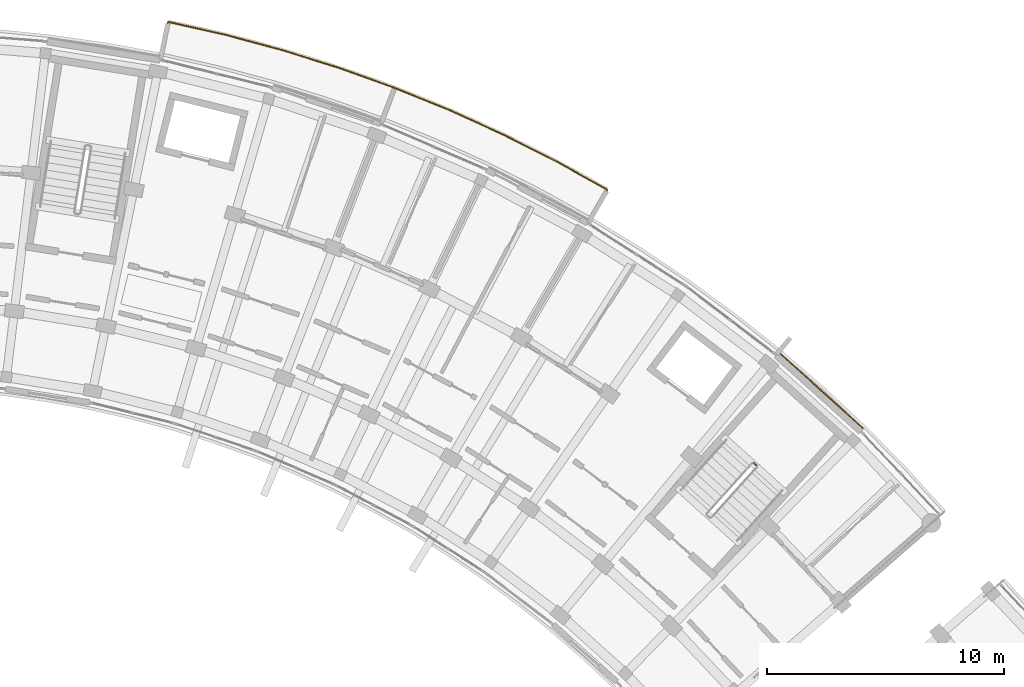
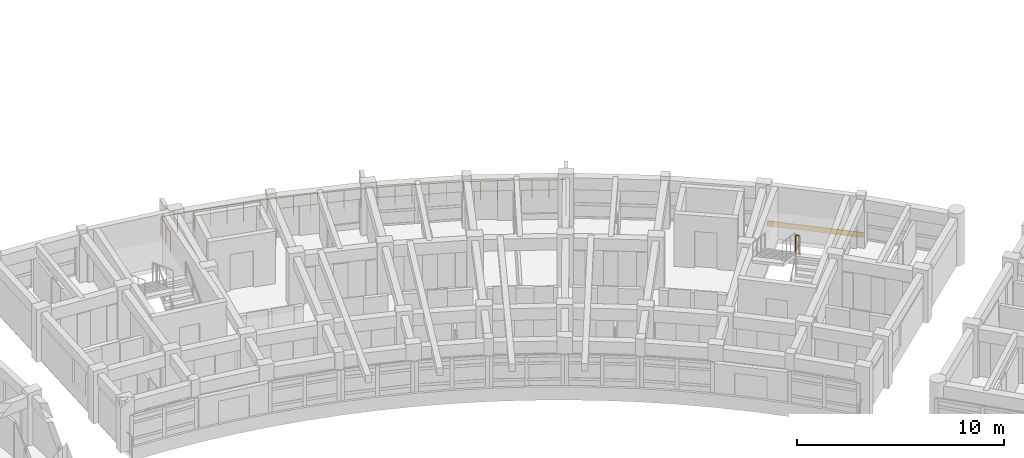
# One storey, part 52 of 55: 2 railings, 1 covering.
"""IFC4 building model written with IfcOpenShell, lengths in metres."""

from ifc_helpers import new_model, si_unit, direction, frame, origin, origin_2d, place, context, subcontext, project, spatial, rectangle, circle, extrude, material, layer, layer_set, type_object, element, save


model = new_model("IFC4")

# Units and contexts
model_context = context("Model", 3, precision=1e-05, world=origin(), true_north=direction((0.0, 1.0)))
body_context = subcontext(model_context, "Body", "Model", "MODEL_VIEW")
ifc_project = project(units=[si_unit("LENGTHUNIT", "METRE"), si_unit("AREAUNIT", "SQUARE_METRE"), si_unit("VOLUMEUNIT", "CUBIC_METRE"), si_unit("PLANEANGLEUNIT", "RADIAN"), si_unit("MASSUNIT", "GRAM", prefix="KILO")], contexts=[model_context])

# Site, building, storey
site_placement = place(None, origin())
site = spatial("IfcSite", under=ifc_project, at=site_placement, CompositionType="ELEMENT")
building_placement = place(site_placement, origin())
building = spatial("IfcBuilding", under=site, at=building_placement, Name="Zimvara Arc Housing Community", CompositionType="ELEMENT")
storey_placement = place(building_placement, frame((0.0, 0.0, 14.300048828125)))
storey = spatial("IfcBuildingStorey", under=building, at=storey_placement, Name="L04", CompositionType="ELEMENT", Elevation=14.300048828125)

# Covering
ifc_material_1 = material(Name="Pale-Gold Anodised Aluminium Cladding", Category="aluminium")
ifc_layer = layer(ifc_material_1, 0.0400390625)
ifc_layer_set = layer_set([ifc_layer], Name="Pale-Gold Anodised Aluminium Cladding")
covering_type = type_object("IfcCoveringType", Name="CLD-GOLD-01", PredefinedType="CLADDING", material=ifc_layer_set)
covering_placement = place(storey_placement, frame((84.78857421875, 88.720703125, 0.009765625), z_axis=(0.0, 0.0, 1.0), x_axis=(0.74337718344, -0.668872456557, 0.0)))
element("IfcCovering", 1, at=covering_placement, inside=storey, type_object=covering_type, Name="cld:blkB:L04:out:b8", PredefinedType="CLADDING", context=body_context, shape_type="SweptSolid", body=[
    extrude(rectangle(XDim=4.748779296875, YDim=0.0400390625, at=origin_2d()), origin(), (0.0, 0.0, 1.0), 0.300048828125),
])

# Railings
ifc_material_2 = material(Name="Anodised Aluminium AW-6063", Category="aluminium")
railing_type = type_object("IfcRailingType", Name="RLG-BAL-1120", PredefinedType="BALUSTRADE", material=ifc_material_2)
railing_1_placement = place(storey_placement, frame((56.933349609375, 102.842041015625, 0.0)))
element("IfcRailing", 2, at=railing_1_placement, inside=storey, type_object=railing_type, Name="rlg:blkB:L04:bal_out_guard", PredefinedType="BALUSTRADE", context=body_context, shape_type="SweptSolid", body=[
    extrude(circle(Radius=0.02392578125, at=origin_2d()), frame((0.0, 0.0, 1.09619140625), z_axis=(0.200457825929, 0.979702332356, 0.0), x_axis=(-0.979702332356, 0.200457825929, 0.0)), (0.0, 0.0, 1.0), 1.469970703125),
    extrude(circle(Radius=0.02392578125, at=origin_2d()), frame((0.294677734375, 1.440185546875, 1.09619140625), z_axis=(0.975422665062, -0.220342062447, 0.0), x_axis=(0.220342062447, 0.975422665062, 0.0)), (0.0, 0.0, 1.0), 2.491943359375),
    extrude(circle(Radius=0.02392578125, at=origin_2d()), frame((2.725341796875, 0.89111328125, 1.09619140625), z_axis=(0.965604406451, -0.260015634611, 0.0), x_axis=(0.260015634611, 0.965604406451, 0.0)), (0.0, 0.0, 1.0), 2.491943359375),
    extrude(circle(Radius=0.02392578125, at=origin_2d()), frame((5.131591796875, 0.2431640625, 1.09619140625), z_axis=(0.95418488811, -0.299217645373, 0.0), x_axis=(0.299217645373, 0.95418488811, 0.0)), (0.0, 0.0, 1.0), 2.491943359375),
    extrude(circle(Radius=0.02392578125, at=origin_2d()), frame((7.50927734375, -0.50244140625, 1.09619140625), z_axis=(0.94118428576, -0.337893681856, 0.0), x_axis=(0.337893681856, 0.94118428576, 0.0)), (0.0, 0.0, 1.0), 2.491943359375),
    extrude(circle(Radius=0.02392578125, at=origin_2d()), frame((9.854736328125, -1.344482421875, 1.09619140625), z_axis=(0.926613832847, -0.37601436778, 0.0), x_axis=(0.37601436778, 0.926613832847, 0.0)), (0.0, 0.0, 1.0), 2.491943359375),
    extrude(circle(Radius=0.02392578125, at=origin_2d()), frame((12.163818359375, -2.281494140625, 1.09619140625), z_axis=(0.910443630497, -0.413633165604, 0.0), x_axis=(0.413633165604, 0.910443630497, 0.0)), (0.0, 0.0, 1.0), 2.491943359375),
    extrude(circle(Radius=0.02392578125, at=origin_2d()), frame((14.4326171875, -3.312255859375, 1.09619140625), z_axis=(0.892834384016, -0.450385127107, 0.0), x_axis=(0.450385127107, 0.892834384016, 0.0)), (0.0, 0.0, 1.0), 2.491943359375),
    extrude(circle(Radius=0.02392578125, at=origin_2d()), frame((16.657470703125, -4.4345703125, 1.09619140625), z_axis=(0.873653060707, -0.486549411178, 0.0), x_axis=(0.486549411178, 0.873653060707, 0.0)), (0.0, 0.0, 1.0), 2.491943359375),
    extrude(circle(Radius=0.02392578125, at=origin_2d()), frame((18.83447265625, -5.64697265625, 1.09619140625), z_axis=(-0.50427373705, -0.863543859987, 0.0), x_axis=(0.863543859987, -0.50427373705, 0.0)), (0.0, 0.0, 1.0), 1.469970703125),
    extrude(circle(Radius=0.02099609375, at=origin_2d()), origin(), (0.0, 0.0, 1.0), 1.072021484375),
    extrude(circle(Radius=0.02099609375, at=origin_2d()), frame((0.1474609375, 0.72021484375, 0.0)), (0.0, 0.0, 1.0), 1.072021484375),
    extrude(circle(Radius=0.02099609375, at=origin_2d()), frame((0.294677734375, 1.440185546875, 0.0)), (0.0, 0.0, 1.0), 1.072021484375),
    extrude(circle(Radius=0.02099609375, at=origin_2d()), frame((1.10498046875, 1.257080078125, 0.0)), (0.0, 0.0, 1.0), 1.072021484375),
    extrude(circle(Radius=0.02099609375, at=origin_2d()), frame((1.9150390625, 1.07421875, 0.0)), (0.0, 0.0, 1.0), 1.072021484375),
    extrude(circle(Radius=0.02099609375, at=origin_2d()), frame((2.725341796875, 0.89111328125, 0.0)), (0.0, 0.0, 1.0), 1.072021484375),
    extrude(circle(Radius=0.02099609375, at=origin_2d()), frame((3.52734375, 0.675048828125, 0.0)), (0.0, 0.0, 1.0), 1.072021484375),
    extrude(circle(Radius=0.02099609375, at=origin_2d()), frame((4.32958984375, 0.459228515625, 0.0)), (0.0, 0.0, 1.0), 1.072021484375),
    extrude(circle(Radius=0.02099609375, at=origin_2d()), frame((5.131591796875, 0.2431640625, 0.0)), (0.0, 0.0, 1.0), 1.072021484375),
    extrude(circle(Radius=0.02099609375, at=origin_2d()), frame((5.924072265625, -0.00537109375, 0.0)), (0.0, 0.0, 1.0), 1.072021484375),
    extrude(circle(Radius=0.02099609375, at=origin_2d()), frame((6.716796875, -0.25390625, 0.0)), (0.0, 0.0, 1.0), 1.072021484375),
    extrude(circle(Radius=0.02099609375, at=origin_2d()), frame((7.50927734375, -0.50244140625, 0.0)), (0.0, 0.0, 1.0), 1.072021484375),
    extrude(circle(Radius=0.02099609375, at=origin_2d()), frame((8.291015625, -0.783203125, 0.0)), (0.0, 0.0, 1.0), 1.072021484375),
    extrude(circle(Radius=0.02099609375, at=origin_2d()), frame((9.072998046875, -1.063720703125, 0.0)), (0.0, 0.0, 1.0), 1.072021484375),
    extrude(circle(Radius=0.02099609375, at=origin_2d()), frame((9.854736328125, -1.344482421875, 0.0)), (0.0, 0.0, 1.0), 1.072021484375),
    extrude(circle(Radius=0.02099609375, at=origin_2d()), frame((10.62451171875, -1.65673828125, 0.0)), (0.0, 0.0, 1.0), 1.072021484375),
    extrude(circle(Radius=0.02099609375, at=origin_2d()), frame((11.39404296875, -1.96923828125, 0.0)), (0.0, 0.0, 1.0), 1.072021484375),
    extrude(circle(Radius=0.02099609375, at=origin_2d()), frame((12.163818359375, -2.281494140625, 0.0)), (0.0, 0.0, 1.0), 1.072021484375),
    extrude(circle(Radius=0.02099609375, at=origin_2d()), frame((12.920166015625, -2.625, 0.0)), (0.0, 0.0, 1.0), 1.072021484375),
    extrude(circle(Radius=0.02099609375, at=origin_2d()), frame((13.67626953125, -2.96875, 0.0)), (0.0, 0.0, 1.0), 1.072021484375),
    extrude(circle(Radius=0.02099609375, at=origin_2d()), frame((14.4326171875, -3.312255859375, 0.0)), (0.0, 0.0, 1.0), 1.072021484375),
    extrude(circle(Radius=0.02099609375, at=origin_2d()), frame((15.17431640625, -3.686279296875, 0.0)), (0.0, 0.0, 1.0), 1.072021484375),
    extrude(circle(Radius=0.02099609375, at=origin_2d()), frame((15.915771484375, -4.060546875, 0.0)), (0.0, 0.0, 1.0), 1.072021484375),
    extrude(circle(Radius=0.02099609375, at=origin_2d()), frame((16.657470703125, -4.4345703125, 0.0)), (0.0, 0.0, 1.0), 1.072021484375),
    extrude(circle(Radius=0.02099609375, at=origin_2d()), frame((17.383056640625, -4.838623046875, 0.0)), (0.0, 0.0, 1.0), 1.072021484375),
    extrude(circle(Radius=0.02099609375, at=origin_2d()), frame((18.10888671875, -5.242919921875, 0.0)), (0.0, 0.0, 1.0), 1.072021484375),
    extrude(circle(Radius=0.02099609375, at=origin_2d()), frame((18.83447265625, -5.64697265625, 0.0)), (0.0, 0.0, 1.0), 1.072021484375),
    extrude(circle(Radius=0.02099609375, at=origin_2d()), frame((18.4638671875, -6.28173828125, 0.0)), (0.0, 0.0, 1.0), 1.072021484375),
    extrude(circle(Radius=0.02099609375, at=origin_2d()), frame((18.09326171875, -6.916259765625, 0.0)), (0.0, 0.0, 1.0), 1.072021484375),
])
railing_2_placement = place(storey_placement, frame((82.05615234375, 85.564208984375, 1.550048828125)))
element("IfcRailing", 3, at=railing_2_placement, inside=storey, type_object=railing_type, Name="L04 ST-B2 stair guard 2", PredefinedType="BALUSTRADE", context=body_context, shape_type="SweptSolid", body=[
    extrude(circle(Radius=0.02392578125, at=origin_2d()), frame((0.0, 0.0, 1.09619140625), z_axis=(-0.744203407529, 0.667953058397, 0.0), x_axis=(-0.667953058397, -0.744203407529, 0.0)), (0.0, 0.0, 1.0), 0.16015625),
    extrude(circle(Radius=0.02099609375, at=origin_2d()), origin(), (0.0, 0.0, 1.0), 1.072021484375),
    extrude(circle(Radius=0.02099609375, at=origin_2d()), frame((-0.119140625, 0.10693359375, 0.0)), (0.0, 0.0, 1.0), 1.072021484375),
])

save(model, "model.ifc")
